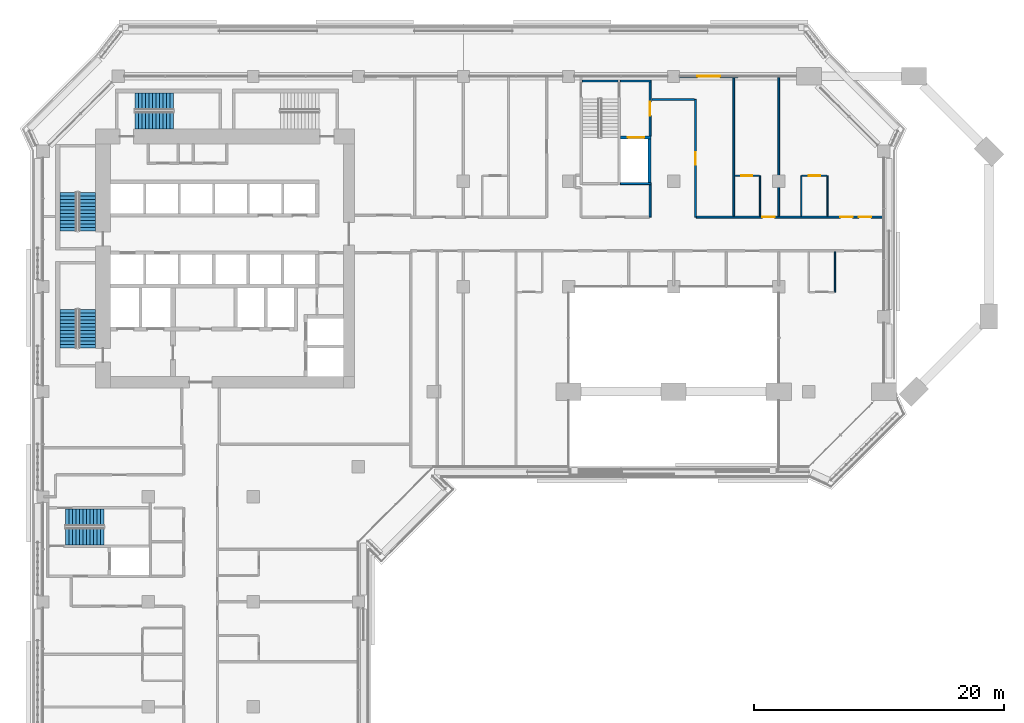
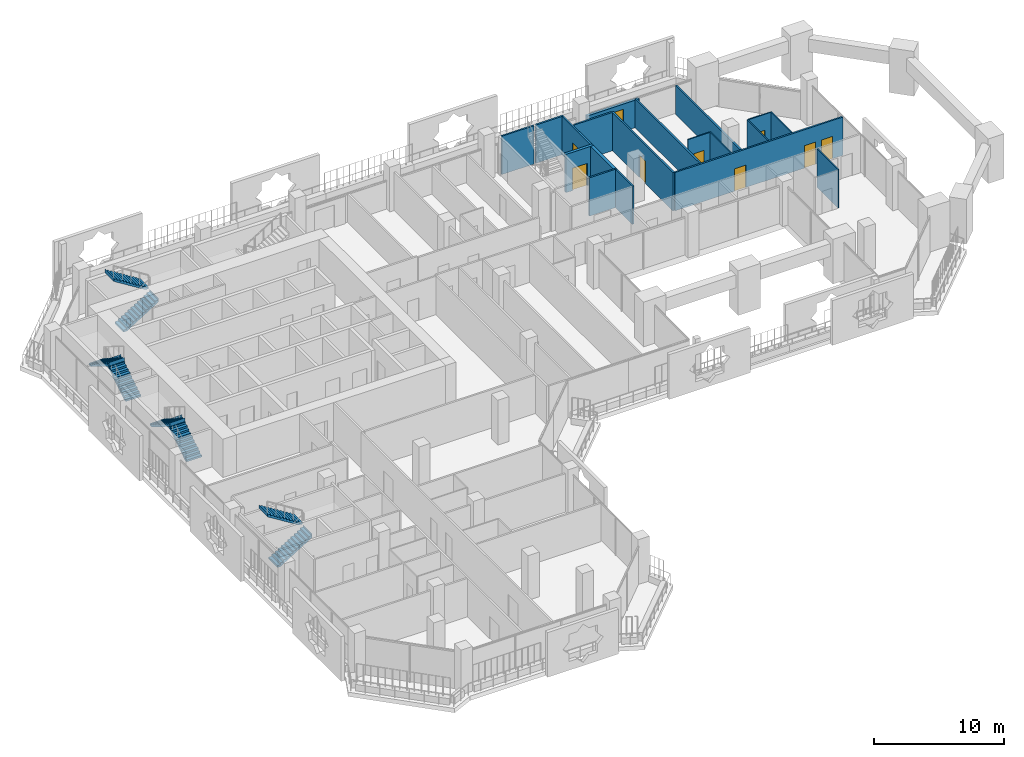
# One storey, part 15 of 24: 19 walls, 9 doors, 8 stair flights, 9 openings, 4 elements without a shape of their own.
"""IFC4 building model written with IfcOpenShell, lengths in metres."""

from ifc_helpers import new_model, si_unit, direction, frame, frame_2d, origin, place, context, subcontext, project, spatial, polyline, rectangle, outline, extrude, material, layer, layer_set, type_object, element, fill, aggregate, save


model = new_model("IFC4")

# Units and contexts
model_context = context("Model", 3, precision=1e-05, world=origin(), true_north=direction((0.0, 1.0)))
body_context = subcontext(model_context, "Body", "Model", "MODEL_VIEW")
ifc_project = project(units=[si_unit("LENGTHUNIT", "METRE"), si_unit("AREAUNIT", "SQUARE_METRE"), si_unit("VOLUMEUNIT", "CUBIC_METRE"), si_unit("PLANEANGLEUNIT", "RADIAN"), si_unit("MASSUNIT", "GRAM", prefix="KILO")], contexts=[model_context])

# Site, building, storey
site_placement = place(None, origin())
site = spatial("IfcSite", under=ifc_project, at=site_placement, CompositionType="ELEMENT")
building_placement = place(site_placement, origin())
building = spatial("IfcBuilding", under=site, at=building_placement, Name="Kawkab Arch Medical Tower", CompositionType="ELEMENT")
storey_placement = place(building_placement, frame((0.0, 0.0, 162.60009765625)))
storey = spatial("IfcBuildingStorey", under=building, at=storey_placement, Name="L37", CompositionType="ELEMENT", Elevation=162.60009765625)

# Wall, opening, door
ifc_material_1 = material(Name="Gypsum board on steel studs", Category="steel")
ifc_layer_1 = layer(ifc_material_1, 0.14990234375)
ifc_layer_set_1 = layer_set([ifc_layer_1], Name="Gypsum board on steel studs")
wall_type_1 = type_object("IfcWallType", Name="Core room partition 150", PredefinedType="PARTITIONING", material=ifc_layer_set_1)
wall_1_placement = place(storey_placement, frame((48.52490234375, -4.77490234375, 0.0), z_axis=(0.0, 0.0, 1.0), x_axis=(0.0, 1.0, 0.0)))
wall_1 = element("IfcWall", 1, at=wall_1_placement, inside=storey, type_object=wall_type_1, Name="L37 core room partition", PredefinedType="PARTITIONING", context=body_context, shape_type="SweptSolid", body=[
    extrude(rectangle(XDim=4.324951171875, YDim=0.14990234375, at=frame_2d((2.16259765625, 0.0))), origin(), (0.0, 0.0, 1.0), 3.599853515625),
])
opening_1_placement = place(wall_1_placement, frame((1.625, 0.0, 0.0)))
opening_1 = element("IfcOpeningElement", 2, at=opening_1_placement, cuts=wall_1, Name="Opening FD", PredefinedType="OPENING", context=body_context, shape_type="SweptSolid", body=[
    extrude(rectangle(XDim=1.10009765625, YDim=2.10009765625, at=frame_2d((0.550048828125, 1.050048828125))), frame((0.0, 0.0849609375, 0.0), z_axis=(0.0, -1.0, 0.0), x_axis=(1.0, 0.0, 0.0)), (0.0, 0.0, 1.0), 0.169921875),
])
ifc_material_2 = material(Name="Hollow metal fire door leaf")
door_type_1 = type_object("IfcDoorType", Name="Firefighting lobby door 1100", OperationType="SINGLE_SWING_LEFT", PredefinedType="DOOR", material=ifc_material_2)
door_1_placement = place(opening_1_placement, origin())
door_1 = element("IfcDoor", 3, at=door_1_placement, inside=storey, type_object=door_type_1, Name="L37 Service lift lobby door SV1", OperationType="SINGLE_SWING_LEFT", OverallHeight=2.10009765625, OverallWidth=1.10009765625, PredefinedType="DOOR", context=body_context, shape_type="SweptSolid", body=[
    extrude(rectangle(XDim=1.10009765625, YDim=2.10009765625, at=frame_2d((0.550048828125, 1.050048828125))), frame((0.0, 0.02490234375, 0.0), z_axis=(0.0, -1.0, 0.0), x_axis=(1.0, 0.0, 0.0)), (0.0, 0.0, 1.0), 0.050048828125),
])
fill(opening_1, door_1)

ifc_material_3 = material(Name="Concrete C60/75", Category="concrete")
ifc_layer_2 = layer(ifc_material_3, 0.25)
ifc_layer_set_2 = layer_set([ifc_layer_2], Name="Concrete C60/75")
wall_type_2 = type_object("IfcWallType", Name="Core shear wall 250 C60/75", PredefinedType="SHEAR", material=ifc_layer_set_2)
wall_2_placement = place(storey_placement, frame((46.14990234375, -4.89990234375, 0.0), z_axis=(0.0, 0.0, 1.0), x_axis=(1.0, 0.0, 0.0)))
wall_2 = element("IfcWall", 4, at=wall_2_placement, inside=storey, type_object=wall_type_2, Name="L37 core shear wall", PredefinedType="SHEAR", context=body_context, shape_type="SweptSolid", body=[
    extrude(rectangle(XDim=2.4501953125, YDim=0.25, at=frame_2d((1.22509765625, 0.0))), origin(), (0.0, 0.0, 1.0), 3.599853515625),
])
opening_2_placement = place(wall_2_placement, frame((0.60009765625, 0.0, 0.0)))
opening_2 = element("IfcOpeningElement", 5, at=opening_2_placement, cuts=wall_2, Name="Opening LD2", PredefinedType="OPENING", context=body_context, shape_type="SweptSolid", body=[
    extrude(rectangle(XDim=1.300048828125, YDim=2.10009765625, at=frame_2d((0.64990234375, 1.050048828125))), frame((0.0, 0.135009765625, 0.0), z_axis=(0.0, -1.0, 0.0), x_axis=(1.0, 0.0, 0.0)), (0.0, 0.0, 1.0), 0.27001953125),
])
ifc_material_4 = material(Name="Stainless steel lift door leaf", Category="steel")
door_type_2 = type_object("IfcDoorType", Name="Lift landing door 1300", OperationType="DOUBLE_DOOR_SLIDING", PredefinedType="DOOR", material=ifc_material_4)
door_2_placement = place(opening_2_placement, origin())
door_2 = element("IfcDoor", 6, at=door_2_placement, inside=storey, type_object=door_type_2, Name="L37 Lift landing door SV1", OperationType="DOUBLE_DOOR_SLIDING", OverallHeight=2.10009765625, OverallWidth=1.300048828125, PredefinedType="DOOR", context=body_context, shape_type="SweptSolid", body=[
    extrude(rectangle(XDim=1.300048828125, YDim=2.10009765625, at=frame_2d((0.64990234375, 1.050048828125))), frame((0.0, 0.02490234375, 0.0), z_axis=(0.0, -1.0, 0.0), x_axis=(1.0, 0.0, 0.0)), (0.0, 0.0, 1.0), 0.050048828125),
])
fill(opening_2, door_2)

# Wall
wall_3_placement = place(storey_placement, frame((48.47509765625, -8.5, 0.0), z_axis=(0.0, 0.0, 1.0), x_axis=(0.0, 1.0, 0.0)))
element("IfcWall", 7, at=wall_3_placement, inside=storey, type_object=wall_type_2, Name="L37 core shear wall", PredefinedType="SHEAR", context=body_context, shape_type="SweptSolid", body=[
    extrude(rectangle(XDim=3.47509765625, YDim=0.25, at=frame_2d((1.737548828125, 0.0))), origin(), (0.0, 0.0, 1.0), 3.599853515625),
])

# Wall, opening, door
ifc_material_5 = material(Name="Bronze clad insulated wall panel")
ifc_layer_3 = layer(ifc_material_5, 0.25)
ifc_layer_set_3 = layer_set([ifc_layer_3], Name="Bronze clad insulated wall panel")
wall_type_3 = type_object("IfcWallType", Name="External wall bay 250", PredefinedType="SOLIDWALL", material=ifc_layer_set_3)
wall_4_placement = place(storey_placement, frame((55.53759765625, 0.0, 0.0), z_axis=(0.0, 0.0, 1.0), x_axis=(-1.0, 0.0, 0.0)))
wall_4 = element("IfcWall", 8, at=wall_4_placement, inside=storey, type_object=wall_type_3, Name="External wall bay L37.R09.1.2", PredefinedType="SOLIDWALL", context=body_context, shape_type="SweptSolid", body=[
    extrude(rectangle(XDim=4.66259765625, YDim=0.25, at=frame_2d((2.331298828125, 0.0))), origin(), (0.0, 0.0, 1.0), 2.579833984375),
])
opening_3_placement = place(wall_4_placement, frame((1.431396484375, 0.0, 0.0)))
opening_3 = element("IfcOpeningElement", 9, at=opening_3_placement, cuts=wall_4, Name="Opening B37-701", PredefinedType="OPENING", context=body_context, shape_type="SweptSolid", body=[
    extrude(rectangle(XDim=1.800048828125, YDim=2.10009765625, at=frame_2d((0.89990234375, 1.050048828125))), frame((0.0, 0.135009765625, 0.0), z_axis=(0.0, -1.0, 0.0), x_axis=(1.0, 0.0, 0.0)), (0.0, 0.0, 1.0), 0.27001953125),
])
ifc_material_6 = material(Name="Bronze anodised aluminium door with tinted glass", Category="aluminium")
door_type_3 = type_object("IfcDoorType", Name="Double external door 1800 x 2100", OperationType="DOUBLE_DOOR_SINGLE_SWING", PredefinedType="DOOR", material=ifc_material_6)
door_3_placement = place(opening_3_placement, origin())
door_3 = element("IfcDoor", 10, at=door_3_placement, inside=storey, type_object=door_type_3, Name="External door L37.R09.1.2", OperationType="DOUBLE_DOOR_SINGLE_SWING", OverallHeight=2.10009765625, OverallWidth=1.800048828125, PredefinedType="DOOR", context=body_context, shape_type="SweptSolid", body=[
    extrude(rectangle(XDim=1.800048828125, YDim=2.10009765625, at=frame_2d((0.89990234375, 1.050048828125))), frame((0.0, 0.02490234375, 0.0), z_axis=(0.0, -1.0, 0.0), x_axis=(1.0, 0.0, 0.0)), (0.0, 0.0, 1.0), 0.050048828125),
])
fill(opening_3, door_3)

ifc_material_7 = material(Name="Gypsum board partition on steel studs", Category="steel")
ifc_layer_4 = layer(ifc_material_7, 0.10009765625)
ifc_layer_set_4 = layer_set([ifc_layer_4], Name="Gypsum board partition on steel studs")
wall_type_4 = type_object("IfcWallType", Name="Partition 100", PredefinedType="PARTITIONING", material=ifc_layer_set_4)
wall_5_placement = place(storey_placement, frame((55.27490234375, -7.949951171875, 0.0), z_axis=(0.0, 0.0, 1.0), x_axis=(1.0, 0.0, 0.0)))
wall_5 = element("IfcWall", 11, at=wall_5_placement, inside=storey, type_object=wall_type_4, Name="Partition 100 w008", PredefinedType="PARTITIONING", context=body_context, shape_type="SweptSolid", body=[
    extrude(rectangle(XDim=1.97509765625, YDim=0.10009765625, at=frame_2d((0.987548828125, 0.0))), origin(), (0.0, 0.0, 1.0), 3.599853515625),
])
opening_4_placement = place(wall_5_placement, frame((0.52490234375, 0.0, 0.0)))
opening_4 = element("IfcOpeningElement", 12, at=opening_4_placement, cuts=wall_5, Name="Opening B37-007", PredefinedType="OPENING", context=body_context, shape_type="SweptSolid", body=[
    extrude(rectangle(XDim=0.89990234375, YDim=2.10009765625, at=frame_2d((0.449951171875, 1.050048828125))), frame((0.0, 0.06005859375, 0.0), z_axis=(0.0, -1.0, 0.0), x_axis=(1.0, 0.0, 0.0)), (0.0, 0.0, 1.0), 0.1201171875),
])
ifc_material_8 = material(Name="Timber door leaf", Category="wood")
door_type_4 = type_object("IfcDoorType", Name="Single door 900x2100", OperationType="NOTDEFINED", PredefinedType="DOOR", material=ifc_material_8)
door_4_placement = place(opening_4_placement, origin())
door_4 = element("IfcDoor", 13, at=door_4_placement, inside=storey, type_object=door_type_4, Name="Door B37-007", OperationType="SINGLE_SWING_RIGHT", OverallHeight=2.10009765625, OverallWidth=0.89990234375, PredefinedType="DOOR", context=body_context, shape_type="SweptSolid", body=[
    extrude(rectangle(XDim=0.89990234375, YDim=2.10009765625, at=frame_2d((0.449951171875, 1.050048828125))), frame((0.0, 0.02490234375, 0.0), z_axis=(0.0, -1.0, 0.0), x_axis=(1.0, 0.0, 0.0)), (0.0, 0.0, 1.0), 0.050048828125),
])
fill(opening_4, door_4)

wall_6_placement = place(storey_placement, frame((60.65087890625, -7.949951171875, 0.0), z_axis=(0.0, 0.0, 1.0), x_axis=(1.0, 0.0, 0.0)))
wall_6 = element("IfcWall", 14, at=wall_6_placement, inside=storey, type_object=wall_type_4, Name="Partition 100 w009", PredefinedType="PARTITIONING", context=body_context, shape_type="SweptSolid", body=[
    extrude(rectangle(XDim=1.9970703125, YDim=0.10009765625, at=frame_2d((0.99853515625, 0.0))), origin(), (0.0, 0.0, 1.0), 3.599853515625),
])
opening_5_placement = place(wall_6_placement, frame((0.548095703125, 0.0, 0.0)))
opening_5 = element("IfcOpeningElement", 15, at=opening_5_placement, cuts=wall_6, Name="Opening B37-008", PredefinedType="OPENING", context=body_context, shape_type="SweptSolid", body=[
    extrude(rectangle(XDim=0.89990234375, YDim=2.10009765625, at=frame_2d((0.449951171875, 1.050048828125))), frame((0.0, 0.06005859375, 0.0), z_axis=(0.0, -1.0, 0.0), x_axis=(1.0, 0.0, 0.0)), (0.0, 0.0, 1.0), 0.1201171875),
])
door_5_placement = place(opening_5_placement, origin())
door_5 = element("IfcDoor", 16, at=door_5_placement, inside=storey, type_object=door_type_4, Name="Door B37-008", OperationType="SINGLE_SWING_LEFT", OverallHeight=2.10009765625, OverallWidth=0.89990234375, PredefinedType="DOOR", context=body_context, shape_type="SweptSolid", body=[
    extrude(rectangle(XDim=0.89990234375, YDim=2.10009765625, at=frame_2d((0.449951171875, 1.050048828125))), frame((0.0, 0.02490234375, 0.0), z_axis=(0.0, -1.0, 0.0), x_axis=(1.0, 0.0, 0.0)), (0.0, 0.0, 1.0), 0.050048828125),
])
fill(opening_5, door_5)

# Walls
wall_7_placement = place(storey_placement, frame((57.300048828125, -11.175048828125, 0.0), z_axis=(0.0, 0.0, 1.0), x_axis=(0.0, 1.0, 0.0)))
element("IfcWall", 17, at=wall_7_placement, inside=storey, type_object=wall_type_4, Name="Partition 100 w016", PredefinedType="PARTITIONING", context=body_context, shape_type="SweptSolid", body=[
    extrude(rectangle(XDim=3.22509765625, YDim=0.10009765625, at=frame_2d((1.612548828125, 0.0))), origin(), (0.0, 0.0, 1.0), 3.599853515625),
])
for number, where, z_axis, x_axis, name in (
    (18, (60.60009765625, -11.175048828125, 0.0), (0.0, 0.0, 1.0), (0.0, 1.0, 0.0), "Partition 100 w017"),
    (19, (62.699951171875, -11.175048828125, 0.0), (0.0, 0.0, 1.0), (0.0, 1.0, 0.0), "Partition 100 w019"),
):
    element("IfcWall", number, at=place(storey_placement, frame(where, z_axis=z_axis, x_axis=x_axis)), inside=storey, type_object=wall_type_4, Name=name, PredefinedType="PARTITIONING", context=body_context, shape_type="SweptSolid", body=[
        extrude(rectangle(XDim=3.22314453125, YDim=0.10009765625, at=frame_2d((1.611572265625, 0.0))), origin(), (0.0, 0.0, 1.0), 3.599853515625),
    ])
wall_8_placement = place(storey_placement, frame((63.300048828125, -17.2490234375, 0.0), z_axis=(0.0, 0.0, 1.0), x_axis=(0.0, 1.0, 0.0)))
element("IfcWall", 20, at=wall_8_placement, inside=storey, type_object=wall_type_4, Name="Partition 100 w020", PredefinedType="PARTITIONING", context=body_context, shape_type="SweptSolid", body=[
    extrude(rectangle(XDim=3.22412109375, YDim=0.10009765625, at=frame_2d((1.612060546875, 0.0))), origin(), (0.0, 0.0, 1.0), 3.599853515625),
])

# Wall, openings, doors
ifc_material_9 = material(Name="Gypsum board partition on steel studs, mineral wool", Category="steel")
ifc_layer_5 = layer(ifc_material_9, 0.14990234375)
ifc_layer_set_5 = layer_set([ifc_layer_5], Name="Gypsum board partition on steel studs, mineral wool")
wall_type_5 = type_object("IfcWallType", Name="Partition 150", PredefinedType="PARTITIONING", material=ifc_layer_set_5)
wall_9_placement = place(storey_placement, frame((52.218017578125, -11.25, 0.0), z_axis=(0.0, 0.0, 1.0), x_axis=(1.0, 0.0, 0.0)))
wall_9 = element("IfcWall", 21, at=wall_9_placement, inside=storey, type_object=wall_type_5, Name="Partition 150 w039", PredefinedType="PARTITIONING", context=body_context, shape_type="SweptSolid", body=[
    extrude(rectangle(XDim=14.902099609375, YDim=0.14990234375, at=frame_2d((7.451171875, 0.0))), origin(), (0.0, 0.0, 1.0), 3.599853515625),
])
opening_6_placement = place(wall_9_placement, frame((5.281982421875, 0.0, 0.0)))
opening_6 = element("IfcOpeningElement", 22, at=opening_6_placement, cuts=wall_9, Name="Opening B37-022", PredefinedType="OPENING", context=body_context, shape_type="SweptSolid", body=[
    extrude(rectangle(XDim=1.0, YDim=2.10009765625, at=frame_2d((0.5, 1.050048828125))), frame((0.0, 0.0849609375, 0.0), z_axis=(0.0, -1.0, 0.0), x_axis=(1.0, 0.0, 0.0)), (0.0, 0.0, 1.0), 0.169921875),
])
opening_7_placement = place(wall_9_placement, frame((11.48193359375, 0.0, 0.0)))
opening_7 = element("IfcOpeningElement", 23, at=opening_7_placement, cuts=wall_9, Name="Opening B37-023", PredefinedType="OPENING", context=body_context, shape_type="SweptSolid", body=[
    extrude(rectangle(XDim=1.0, YDim=2.10009765625, at=frame_2d((0.5, 1.050048828125))), frame((0.0, 0.0849609375, 0.0), z_axis=(0.0, -1.0, 0.0), x_axis=(1.0, 0.0, 0.0)), (0.0, 0.0, 1.0), 0.169921875),
])
opening_8_placement = place(wall_9_placement, frame((12.98193359375, 0.0, 0.0)))
opening_8 = element("IfcOpeningElement", 24, at=opening_8_placement, cuts=wall_9, Name="Opening B37-024", PredefinedType="OPENING", context=body_context, shape_type="SweptSolid", body=[
    extrude(rectangle(XDim=1.0, YDim=2.10009765625, at=frame_2d((0.5, 1.050048828125))), frame((0.0, 0.0849609375, 0.0), z_axis=(0.0, -1.0, 0.0), x_axis=(1.0, 0.0, 0.0)), (0.0, 0.0, 1.0), 0.169921875),
])
ifc_material_10 = material(Name="Hollow metal door leaf")
door_type_5 = type_object("IfcDoorType", Name="Single door 1000x2100 FD30S", OperationType="NOTDEFINED", PredefinedType="DOOR", material=ifc_material_10)
door_6_placement = place(opening_6_placement, origin())
door_6 = element("IfcDoor", 25, at=door_6_placement, inside=storey, type_object=door_type_5, Name="Door B37-022", OperationType="SINGLE_SWING_LEFT", OverallHeight=2.10009765625, OverallWidth=1.0, PredefinedType="DOOR", context=body_context, shape_type="SweptSolid", body=[
    extrude(rectangle(XDim=1.0, YDim=2.10009765625, at=frame_2d((0.5, 1.050048828125))), frame((0.0, 0.02490234375, 0.0), z_axis=(0.0, -1.0, 0.0), x_axis=(1.0, 0.0, 0.0)), (0.0, 0.0, 1.0), 0.050048828125),
])
fill(opening_6, door_6)
door_7_placement = place(opening_7_placement, origin())
door_7 = element("IfcDoor", 26, at=door_7_placement, inside=storey, type_object=door_type_5, Name="Door B37-023", OperationType="SINGLE_SWING_RIGHT", OverallHeight=2.10009765625, OverallWidth=1.0, PredefinedType="DOOR", context=body_context, shape_type="SweptSolid", body=[
    extrude(rectangle(XDim=1.0, YDim=2.10009765625, at=frame_2d((0.5, 1.050048828125))), frame((0.0, 0.02490234375, 0.0), z_axis=(0.0, -1.0, 0.0), x_axis=(1.0, 0.0, 0.0)), (0.0, 0.0, 1.0), 0.050048828125),
])
fill(opening_7, door_7)
door_8_placement = place(opening_8_placement, origin())
door_8 = element("IfcDoor", 27, at=door_8_placement, inside=storey, type_object=door_type_5, Name="Door B37-024", OperationType="SINGLE_SWING_RIGHT", OverallHeight=2.10009765625, OverallWidth=1.0, PredefinedType="DOOR", context=body_context, shape_type="SweptSolid", body=[
    extrude(rectangle(XDim=1.0, YDim=2.10009765625, at=frame_2d((0.5, 1.050048828125))), frame((0.0, 0.02490234375, 0.0), z_axis=(0.0, -1.0, 0.0), x_axis=(1.0, 0.0, 0.0)), (0.0, 0.0, 1.0), 0.050048828125),
])
fill(opening_8, door_8)

# Walls
wall_10_placement = place(storey_placement, frame((48.679931640625, -1.85009765625, 0.0), z_axis=(0.0, 0.0, 1.0), x_axis=(1.0, 0.0, 0.0)))
element("IfcWall", 28, at=wall_10_placement, inside=storey, type_object=wall_type_5, Name="Partition 150 w044", PredefinedType="PARTITIONING", context=body_context, shape_type="SweptSolid", body=[
    extrude(rectangle(XDim=3.385986328125, YDim=0.14990234375, at=frame_2d((1.69287109375, 0.0))), origin(), (0.0, 0.0, 1.0), 3.599853515625),
])
wall_11_placement = place(storey_placement, frame((48.52490234375, -11.25, 0.0), z_axis=(0.0, 0.0, 1.0), x_axis=(0.0, 1.0, 0.0)))
element("IfcWall", 29, at=wall_11_placement, inside=storey, type_object=wall_type_5, Name="Partition 150 w068", PredefinedType="PARTITIONING", context=body_context, shape_type="SweptSolid", body=[
    extrude(rectangle(XDim=2.60009765625, YDim=0.14990234375, at=frame_2d((1.300048828125, 0.0))), origin(), (0.0, 0.0, 1.0), 3.599853515625),
])

# Wall, opening, door
wall_12_placement = place(storey_placement, frame((52.14306640625, -11.25, 0.0), z_axis=(0.0, 0.0, 1.0), x_axis=(0.0, 1.0, 0.0)))
wall_12 = element("IfcWall", 30, at=wall_12_placement, inside=storey, type_object=wall_type_5, Name="Partition 150 w070", PredefinedType="PARTITIONING", context=body_context, shape_type="SweptSolid", body=[
    extrude(rectangle(XDim=9.39697265625, YDim=0.14990234375, at=frame_2d((4.698486328125, 0.0))), origin(), (0.0, 0.0, 1.0), 3.599853515625),
])
opening_9_placement = place(wall_12_placement, frame((4.198974609375, 0.0, 0.0)))
opening_9 = element("IfcOpeningElement", 31, at=opening_9_placement, cuts=wall_12, Name="Opening B37-021", PredefinedType="OPENING", context=body_context, shape_type="SweptSolid", body=[
    extrude(rectangle(XDim=1.0, YDim=2.10009765625, at=frame_2d((0.5, 1.050048828125))), frame((0.0, 0.0849609375, 0.0), z_axis=(0.0, -1.0, 0.0), x_axis=(1.0, 0.0, 0.0)), (0.0, 0.0, 1.0), 0.169921875),
])
door_9_placement = place(opening_9_placement, origin())
door_9 = element("IfcDoor", 32, at=door_9_placement, inside=storey, type_object=door_type_5, Name="Door B37-021", OperationType="SINGLE_SWING_LEFT", OverallHeight=2.10009765625, OverallWidth=1.0, PredefinedType="DOOR", context=body_context, shape_type="SweptSolid", body=[
    extrude(rectangle(XDim=1.0, YDim=2.10009765625, at=frame_2d((0.5, 1.050048828125))), frame((0.0, 0.02490234375, 0.0), z_axis=(0.0, -1.0, 0.0), x_axis=(1.0, 0.0, 0.0)), (0.0, 0.0, 1.0), 0.050048828125),
])
fill(opening_9, door_9)

# Walls
for number, where, z_axis, x_axis, name in (
    (33, (55.199951171875, -11.175048828125, 0.0), (0.0, 0.0, 1.0), (0.0, 1.0, 0.0), "Partition 150 w072"),
    (34, (58.800048828125, -11.175048828125, 0.0), (0.0, 0.0, 1.0), (0.0, 1.0, 0.0), "Partition 150 w074"),
):
    element("IfcWall", number, at=place(storey_placement, frame(where, z_axis=z_axis, x_axis=x_axis)), inside=storey, type_object=wall_type_5, Name=name, PredefinedType="PARTITIONING", context=body_context, shape_type="SweptSolid", body=[
        extrude(rectangle(XDim=11.094970703125, YDim=0.14990234375, at=frame_2d((5.54736328125, 0.0))), origin(), (0.0, 0.0, 1.0), 2.699951171875),
    ])
ifc_material_11 = material(Name="Concrete C50/60", Category="concrete")
ifc_layer_6 = layer(ifc_material_11, 0.14990234375)
ifc_layer_set_6 = layer_set([ifc_layer_6], Name="Concrete C50/60")
wall_type_6 = type_object("IfcWallType", Name="Stair enclosure wall 150 C50/60", PredefinedType="SHEAR", material=ifc_layer_set_6)
wall_13_placement = place(storey_placement, frame((43.10009765625, -0.375, 0.0), z_axis=(0.0, 0.0, 1.0), x_axis=(1.0, 0.0, 0.0)))
element("IfcWall", 35, at=wall_13_placement, inside=storey, type_object=wall_type_6, Name="L37 stair enclosure wall", PredefinedType="SHEAR", context=body_context, shape_type="SweptSolid", body=[
    extrude(rectangle(XDim=2.849853515625, YDim=0.14990234375, at=frame_2d((1.4248046875, 0.0))), origin(), (0.0, 0.0, 1.0), 3.599853515625),
])
for number, where, z_axis, x_axis, name in (
    (36, (46.14990234375, -0.375, 0.0), (0.0, 0.0, 1.0), (1.0, 0.0, 0.0), "L37 stair enclosure wall"),
    (37, (46.14990234375, -8.574951171875, 0.0), (0.0, 0.0, 1.0), (1.0, 0.0, 0.0), "L37 stair enclosure wall"),
):
    element("IfcWall", number, at=place(storey_placement, frame(where, z_axis=z_axis, x_axis=x_axis)), inside=storey, type_object=wall_type_6, Name=name, PredefinedType="SHEAR", context=body_context, shape_type="SweptSolid", body=[
        extrude(rectangle(XDim=2.4501953125, YDim=0.14990234375, at=frame_2d((1.22509765625, 0.0))), origin(), (0.0, 0.0, 1.0), 3.599853515625),
    ])

# Stair, stair flights
ifc_material_12 = material(Name="Concrete C40/50", Category="concrete")
stair_type = type_object("IfcStairType", Name="Exit stair 1350", PredefinedType="HALF_TURN_STAIR", material=ifc_material_12)
placement = place(storey_placement, origin())
stair_1 = element("IfcStair", 38, at=placement, inside=storey, type_object=stair_type, Name="L37 Exit stair ST1", PredefinedType="HALF_TURN_STAIR")
ifc_material_13 = material(Name="Concrete C40/50", Category="concrete")
stair_flight_type = type_object("IfcStairFlightType", Name="Exit stair flight 1350", PredefinedType="STRAIGHT", material=ifc_material_13)
stair_flight_1_placement = place(storey_placement, frame((3.52490234375, -12.35009765625, 0.0), z_axis=(0.0, 0.0, 1.0), x_axis=(0.0, 1.0, 0.0)))
stair_flight_1 = element("IfcStairFlight", 39, at=stair_flight_1_placement, type_object=stair_flight_type, Name="ST1 flight 1", NumberOfRisers=12, NumberOfTreads=11, PredefinedType="STRAIGHT", RiserHeight=0.175, TreadLength=0.28, context=body_context, shape_type="SweptSolid", body=[
    extrude(outline(polyline([(-0.0029296875, 0.0), (-0.0029296875, 0.175048828125), (0.0, 0.175048828125), (0.280029296875, 0.175048828125), (0.280029296875, 0.35009765625), (0.56005859375, 0.35009765625), (0.56005859375, 0.52490234375), (0.840087890625, 0.52490234375), (0.840087890625, 0.699951171875), (1.1201171875, 0.699951171875), (1.1201171875, 0.875), (1.39990234375, 0.875), (1.39990234375, 1.050048828125), (1.679931640625, 1.050048828125), (1.679931640625, 1.22509765625), (1.9599609375, 1.22509765625), (1.9599609375, 1.39990234375), (2.239990234375, 1.39990234375), (2.239990234375, 1.574951171875), (2.52001953125, 1.574951171875), (2.52001953125, 1.75), (2.800048828125, 1.75), (2.800048828125, 1.925048828125), (3.080078125, 1.925048828125), (3.080078125, 2.10009765625), (3.0830078125, 2.10009765625), (3.0830078125, 1.748291015625), (3.080078125, 1.748291015625), (0.28271484375, 0.0), (-0.0029296875, 0.0)])), frame((0.0, 0.675048828125, 0.0), z_axis=(0.0, -1.0, 0.0), x_axis=(1.0, 0.0, 0.0)), (0.0, 0.0, 1.0), 1.35009765625),
])
stair_flight_2_placement = place(storey_placement, frame((2.02490234375, -9.27001953125, 2.099853515625), z_axis=(0.0, 0.0, 1.0), x_axis=(0.0, -1.0, 0.0)))
stair_flight_2 = element("IfcStairFlight", 40, at=stair_flight_2_placement, type_object=stair_flight_type, Name="ST1 flight 2", NumberOfRisers=12, NumberOfTreads=11, PredefinedType="STRAIGHT", RiserHeight=0.175, TreadLength=0.28, context=body_context, shape_type="SweptSolid", body=[
    extrude(outline(polyline([(-0.0029296875, 0.0), (-0.0029296875, 0.175048828125), (0.0, 0.175048828125), (0.280029296875, 0.175048828125), (0.280029296875, 0.35009765625), (0.56005859375, 0.35009765625), (0.56005859375, 0.52490234375), (0.840087890625, 0.52490234375), (0.840087890625, 0.699951171875), (1.1201171875, 0.699951171875), (1.1201171875, 0.875), (1.39990234375, 0.875), (1.39990234375, 1.050048828125), (1.679931640625, 1.050048828125), (1.679931640625, 1.22509765625), (1.9599609375, 1.22509765625), (1.9599609375, 1.39990234375), (2.239990234375, 1.39990234375), (2.239990234375, 1.574951171875), (2.52001953125, 1.574951171875), (2.52001953125, 1.75), (2.800048828125, 1.75), (2.800048828125, 1.925048828125), (3.080078125, 1.925048828125), (3.080078125, 2.10009765625), (3.0830078125, 2.10009765625), (3.0830078125, 1.748291015625), (3.080078125, 1.748291015625), (0.28271484375, 0.0), (-0.0029296875, 0.0)])), frame((0.0, 0.675048828125, 0.0), z_axis=(0.0, -1.0, 0.0), x_axis=(1.0, 0.0, 0.0)), (0.0, 0.0, 1.0), 1.35009765625),
])
aggregate(stair_1, [stair_flight_1, stair_flight_2])

stair_2 = element("IfcStair", 41, at=placement, inside=storey, type_object=stair_type, Name="L37 Exit stair ST2", PredefinedType="HALF_TURN_STAIR")
stair_flight_3_placement = place(storey_placement, frame((3.52490234375, -21.699951171875, 0.0), z_axis=(0.0, 0.0, 1.0), x_axis=(0.0, 1.0, 0.0)))
stair_flight_3 = element("IfcStairFlight", 42, at=stair_flight_3_placement, type_object=stair_flight_type, Name="ST2 flight 1", NumberOfRisers=12, NumberOfTreads=11, PredefinedType="STRAIGHT", RiserHeight=0.175, TreadLength=0.28, context=body_context, shape_type="SweptSolid", body=[
    extrude(outline(polyline([(-0.0029296875, 0.0), (-0.0029296875, 0.175048828125), (0.0, 0.175048828125), (0.280029296875, 0.175048828125), (0.280029296875, 0.35009765625), (0.56005859375, 0.35009765625), (0.56005859375, 0.52490234375), (0.840087890625, 0.52490234375), (0.840087890625, 0.699951171875), (1.1201171875, 0.699951171875), (1.1201171875, 0.875), (1.39990234375, 0.875), (1.39990234375, 1.050048828125), (1.679931640625, 1.050048828125), (1.679931640625, 1.22509765625), (1.9599609375, 1.22509765625), (1.9599609375, 1.39990234375), (2.239990234375, 1.39990234375), (2.239990234375, 1.574951171875), (2.52001953125, 1.574951171875), (2.52001953125, 1.75), (2.800048828125, 1.75), (2.800048828125, 1.925048828125), (3.080078125, 1.925048828125), (3.080078125, 2.10009765625), (3.0830078125, 2.10009765625), (3.0830078125, 1.748291015625), (3.080078125, 1.748291015625), (0.28271484375, 0.0), (-0.0029296875, 0.0)])), frame((0.0, 0.675048828125, 0.0), z_axis=(0.0, -1.0, 0.0), x_axis=(1.0, 0.0, 0.0)), (0.0, 0.0, 1.0), 1.35009765625),
])
stair_flight_4_placement = place(storey_placement, frame((2.02490234375, -18.6201171875, 2.099853515625), z_axis=(0.0, 0.0, 1.0), x_axis=(0.0, -1.0, 0.0)))
stair_flight_4 = element("IfcStairFlight", 43, at=stair_flight_4_placement, type_object=stair_flight_type, Name="ST2 flight 2", NumberOfRisers=12, NumberOfTreads=11, PredefinedType="STRAIGHT", RiserHeight=0.175, TreadLength=0.28, context=body_context, shape_type="SweptSolid", body=[
    extrude(outline(polyline([(-0.0029296875, 0.0), (-0.0029296875, 0.175048828125), (0.0, 0.175048828125), (0.280029296875, 0.175048828125), (0.280029296875, 0.35009765625), (0.56005859375, 0.35009765625), (0.56005859375, 0.52490234375), (0.840087890625, 0.52490234375), (0.840087890625, 0.699951171875), (1.1201171875, 0.699951171875), (1.1201171875, 0.875), (1.39990234375, 0.875), (1.39990234375, 1.050048828125), (1.679931640625, 1.050048828125), (1.679931640625, 1.22509765625), (1.9599609375, 1.22509765625), (1.9599609375, 1.39990234375), (2.239990234375, 1.39990234375), (2.239990234375, 1.574951171875), (2.52001953125, 1.574951171875), (2.52001953125, 1.75), (2.800048828125, 1.75), (2.800048828125, 1.925048828125), (3.080078125, 1.925048828125), (3.080078125, 2.10009765625), (3.0830078125, 2.10009765625), (3.0830078125, 1.748291015625), (3.080078125, 1.748291015625), (0.28271484375, 0.0), (-0.0029296875, 0.0)])), frame((0.0, 0.675048828125, 0.0), z_axis=(0.0, -1.0, 0.0), x_axis=(1.0, 0.0, 0.0)), (0.0, 0.0, 1.0), 1.35009765625),
])
aggregate(stair_2, [stair_flight_3, stair_flight_4])

stair_3 = element("IfcStair", 44, at=placement, inside=storey, type_object=stair_type, Name="L37 Exit stair ST3", PredefinedType="HALF_TURN_STAIR")
stair_flight_5_placement = place(storey_placement, frame((7.35009765625, -3.52490234375, 0.0), z_axis=(0.0, 0.0, 1.0), x_axis=(1.0, 0.0, 0.0)))
stair_flight_5 = element("IfcStairFlight", 45, at=stair_flight_5_placement, type_object=stair_flight_type, Name="ST3 flight 1", NumberOfRisers=12, NumberOfTreads=11, PredefinedType="STRAIGHT", RiserHeight=0.175, TreadLength=0.28, context=body_context, shape_type="SweptSolid", body=[
    extrude(outline(polyline([(-0.0029296875, 0.0), (-0.0029296875, 0.175048828125), (0.0, 0.175048828125), (0.280029296875, 0.175048828125), (0.280029296875, 0.35009765625), (0.56005859375, 0.35009765625), (0.56005859375, 0.52490234375), (0.840087890625, 0.52490234375), (0.840087890625, 0.699951171875), (1.1201171875, 0.699951171875), (1.1201171875, 0.875), (1.39990234375, 0.875), (1.39990234375, 1.050048828125), (1.679931640625, 1.050048828125), (1.679931640625, 1.22509765625), (1.9599609375, 1.22509765625), (1.9599609375, 1.39990234375), (2.239990234375, 1.39990234375), (2.239990234375, 1.574951171875), (2.52001953125, 1.574951171875), (2.52001953125, 1.75), (2.800048828125, 1.75), (2.800048828125, 1.925048828125), (3.080078125, 1.925048828125), (3.080078125, 2.10009765625), (3.0830078125, 2.10009765625), (3.0830078125, 1.748291015625), (3.080078125, 1.748291015625), (0.28271484375, 0.0), (-0.0029296875, 0.0)])), frame((0.0, 0.675048828125, 0.0), z_axis=(0.0, -1.0, 0.0), x_axis=(1.0, 0.0, 0.0)), (0.0, 0.0, 1.0), 1.35009765625),
])
stair_flight_6_placement = place(storey_placement, frame((10.429931640625, -2.02490234375, 2.099853515625), z_axis=(0.0, 0.0, 1.0), x_axis=(-1.0, 0.0, 0.0)))
stair_flight_6 = element("IfcStairFlight", 46, at=stair_flight_6_placement, type_object=stair_flight_type, Name="ST3 flight 2", NumberOfRisers=12, NumberOfTreads=11, PredefinedType="STRAIGHT", RiserHeight=0.175, TreadLength=0.28, context=body_context, shape_type="SweptSolid", body=[
    extrude(outline(polyline([(-0.0029296875, 0.0), (-0.0029296875, 0.175048828125), (0.0, 0.175048828125), (0.280029296875, 0.175048828125), (0.280029296875, 0.35009765625), (0.56005859375, 0.35009765625), (0.56005859375, 0.52490234375), (0.840087890625, 0.52490234375), (0.840087890625, 0.699951171875), (1.1201171875, 0.699951171875), (1.1201171875, 0.875), (1.39990234375, 0.875), (1.39990234375, 1.050048828125), (1.679931640625, 1.050048828125), (1.679931640625, 1.22509765625), (1.9599609375, 1.22509765625), (1.9599609375, 1.39990234375), (2.239990234375, 1.39990234375), (2.239990234375, 1.574951171875), (2.52001953125, 1.574951171875), (2.52001953125, 1.75), (2.800048828125, 1.75), (2.800048828125, 1.925048828125), (3.080078125, 1.925048828125), (3.080078125, 2.10009765625), (3.0830078125, 2.10009765625), (3.0830078125, 1.748291015625), (3.080078125, 1.748291015625), (0.28271484375, 0.0), (-0.0029296875, 0.0)])), frame((0.0, 0.675048828125, 0.0), z_axis=(0.0, -1.0, 0.0), x_axis=(1.0, 0.0, 0.0)), (0.0, 0.0, 1.0), 1.35009765625),
])
aggregate(stair_3, [stair_flight_5, stair_flight_6])

stair_4 = element("IfcStair", 47, at=placement, inside=storey, type_object=stair_type, Name="L37 Exit stair ST6", PredefinedType="HALF_TURN_STAIR")
stair_flight_7_placement = place(storey_placement, frame((1.800048828125, -36.77490234375, 0.0), z_axis=(0.0, 0.0, 1.0), x_axis=(1.0, 0.0, 0.0)))
stair_flight_7 = element("IfcStairFlight", 48, at=stair_flight_7_placement, type_object=stair_flight_type, Name="ST6 flight 1", NumberOfRisers=12, NumberOfTreads=11, PredefinedType="STRAIGHT", RiserHeight=0.175, TreadLength=0.28, context=body_context, shape_type="SweptSolid", body=[
    extrude(outline(polyline([(-0.0029296875, 0.0), (-0.0029296875, 0.175048828125), (0.0, 0.175048828125), (0.280029296875, 0.175048828125), (0.280029296875, 0.35009765625), (0.56005859375, 0.35009765625), (0.56005859375, 0.52490234375), (0.840087890625, 0.52490234375), (0.840087890625, 0.699951171875), (1.1201171875, 0.699951171875), (1.1201171875, 0.875), (1.39990234375, 0.875), (1.39990234375, 1.050048828125), (1.679931640625, 1.050048828125), (1.679931640625, 1.22509765625), (1.9599609375, 1.22509765625), (1.9599609375, 1.39990234375), (2.239990234375, 1.39990234375), (2.239990234375, 1.574951171875), (2.52001953125, 1.574951171875), (2.52001953125, 1.75), (2.800048828125, 1.75), (2.800048828125, 1.925048828125), (3.080078125, 1.925048828125), (3.080078125, 2.10009765625), (3.0830078125, 2.10009765625), (3.0830078125, 1.748291015625), (3.080078125, 1.748291015625), (0.28271484375, 0.0), (-0.0029296875, 0.0)])), frame((0.0, 0.675048828125, 0.0), z_axis=(0.0, -1.0, 0.0), x_axis=(1.0, 0.0, 0.0)), (0.0, 0.0, 1.0), 1.35009765625),
])
stair_flight_8_placement = place(storey_placement, frame((4.8798828125, -35.27490234375, 2.099853515625), z_axis=(0.0, 0.0, 1.0), x_axis=(-1.0, 0.0, 0.0)))
stair_flight_8 = element("IfcStairFlight", 49, at=stair_flight_8_placement, type_object=stair_flight_type, Name="ST6 flight 2", NumberOfRisers=12, NumberOfTreads=11, PredefinedType="STRAIGHT", RiserHeight=0.175, TreadLength=0.28, context=body_context, shape_type="SweptSolid", body=[
    extrude(outline(polyline([(-0.0029296875, 0.0), (-0.0029296875, 0.175048828125), (0.0, 0.175048828125), (0.280029296875, 0.175048828125), (0.280029296875, 0.35009765625), (0.56005859375, 0.35009765625), (0.56005859375, 0.52490234375), (0.840087890625, 0.52490234375), (0.840087890625, 0.699951171875), (1.1201171875, 0.699951171875), (1.1201171875, 0.875), (1.39990234375, 0.875), (1.39990234375, 1.050048828125), (1.679931640625, 1.050048828125), (1.679931640625, 1.22509765625), (1.9599609375, 1.22509765625), (1.9599609375, 1.39990234375), (2.239990234375, 1.39990234375), (2.239990234375, 1.574951171875), (2.52001953125, 1.574951171875), (2.52001953125, 1.75), (2.800048828125, 1.75), (2.800048828125, 1.925048828125), (3.080078125, 1.925048828125), (3.080078125, 2.10009765625), (3.0830078125, 2.10009765625), (3.0830078125, 1.748291015625), (3.080078125, 1.748291015625), (0.28271484375, 0.0), (-0.0029296875, 0.0)])), frame((0.0, 0.675048828125, 0.0), z_axis=(0.0, -1.0, 0.0), x_axis=(1.0, 0.0, 0.0)), (0.0, 0.0, 1.0), 1.35009765625),
])
aggregate(stair_4, [stair_flight_7, stair_flight_8])

save(model, "model.ifc")
